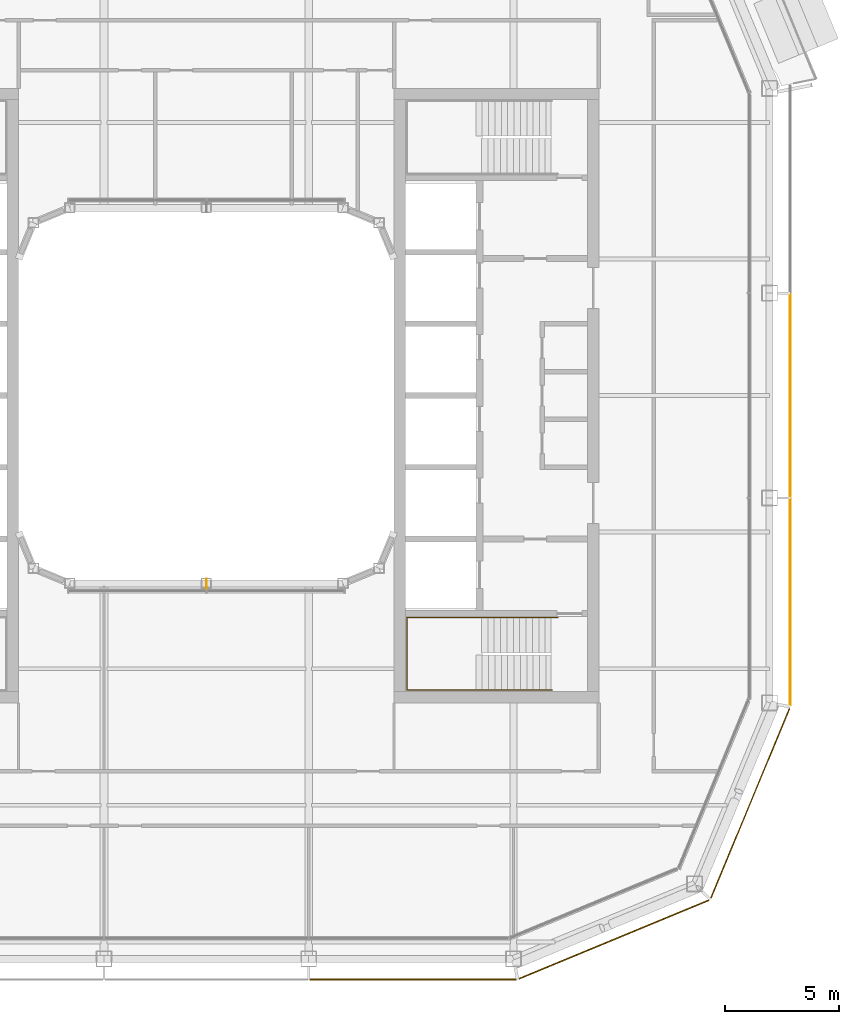
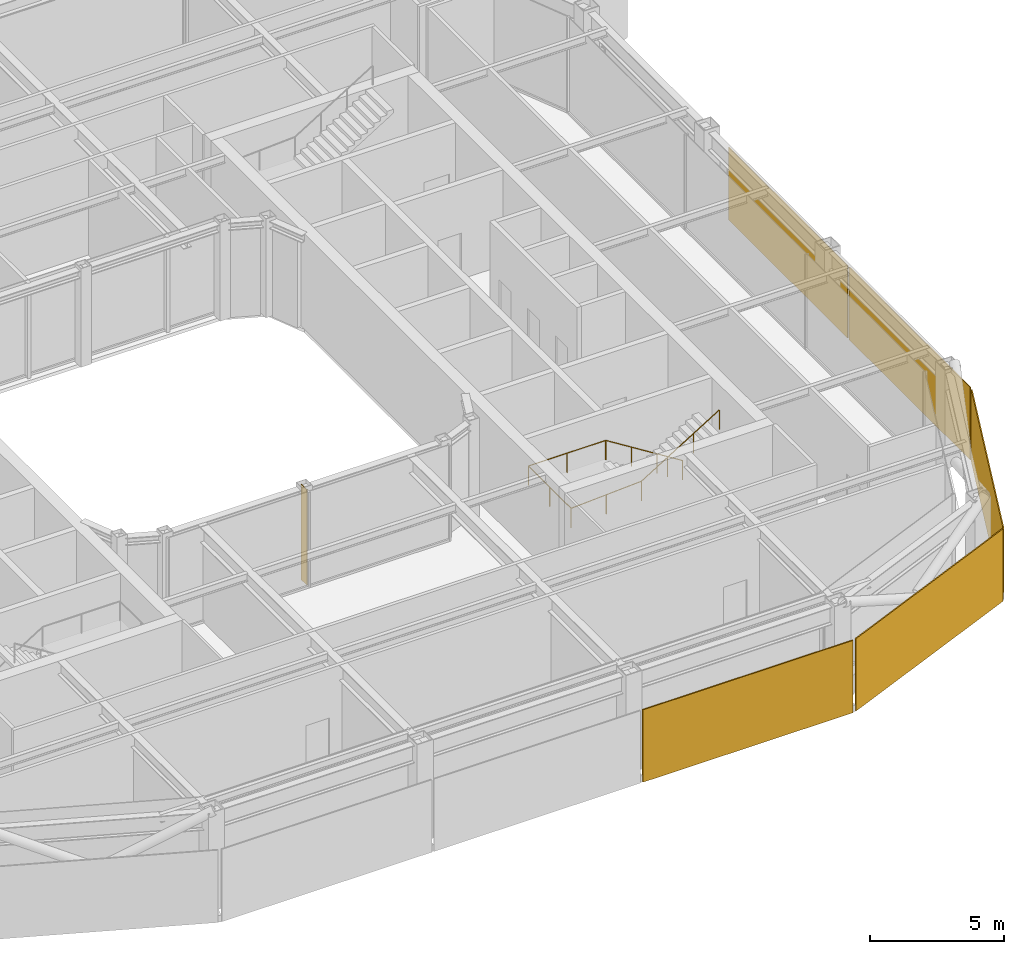
# One storey, part 18 of 21: 5 coverings, 1 railing, 1 shading device.
"""IFC4 building model written with IfcOpenShell, lengths in metres."""

from ifc_helpers import new_model, si_unit, direction, frame, origin, origin_2d, place, context, subcontext, project, spatial, rectangle, circle, extrude, material, layer, layer_set, type_object, element, save


model = new_model("IFC4")

# Units and contexts
model_context = context("Model", 3, precision=1e-05, world=origin(), true_north=direction((0.0, 1.0)))
body_context = subcontext(model_context, "Body", "Model", "MODEL_VIEW")
ifc_project = project(units=[si_unit("LENGTHUNIT", "METRE"), si_unit("AREAUNIT", "SQUARE_METRE"), si_unit("VOLUMEUNIT", "CUBIC_METRE"), si_unit("PLANEANGLEUNIT", "RADIAN"), si_unit("MASSUNIT", "GRAM", prefix="KILO")], contexts=[model_context])

# Site, building, storey
site_placement = place(None, origin())
site = spatial("IfcSite", under=ifc_project, at=site_placement, CompositionType="ELEMENT")
building_placement = place(site_placement, origin())
building = spatial("IfcBuilding", under=site, at=building_placement, Name="Siwar Civic Tower", CompositionType="ELEMENT")
storey_placement = place(building_placement, frame((0.0, 0.0, 325.699951171875)))
storey = spatial("IfcBuildingStorey", under=building, at=storey_placement, Name="L70", CompositionType="ELEMENT", Elevation=325.699951171875)

# Railing
ifc_material_1 = material(Name="Stainless steel", Category="steel")
railing_type = type_object("IfcRailingType", Name="CORE-STAIR-HANDRAIL", PredefinedType="HANDRAIL", material=ifc_material_1)
railing_placement = place(storey_placement, frame((15.449951171875, -9.758056640625, 0.173095703125)))
element("IfcRailing", 1, at=railing_placement, inside=storey, type_object=railing_type, Name="Stair handrail ST4", PredefinedType="HANDRAIL", context=body_context, shape_type="SweptSolid", body=[
    extrude(circle(Radius=0.02001953125, at=origin_2d()), frame((0.0, 0.0, 0.8798828125), z_axis=(-0.847063342986, 0.0, 0.531491950051), x_axis=(0.0, -1.0, 0.0)), (0.0, 0.0, 1.0), 3.90771484375),
    extrude(circle(Radius=0.02001953125, at=origin_2d()), frame((-3.31005859375, 0.0, 2.956787109375), z_axis=(-1.0, 0.0, 0.0), x_axis=(0.0, -1.0, 0.0)), (0.0, 0.0, 1.0), 3.331787109375),
    extrude(circle(Radius=0.02001953125, at=origin_2d()), frame((-6.641845703125, 0.0, 2.956787109375), z_axis=(0.0, -1.0, 0.0), x_axis=(1.0, 0.0, 0.0)), (0.0, 0.0, 1.0), 3.183837890625),
    extrude(circle(Radius=0.02001953125, at=origin_2d()), frame((-6.641845703125, -3.183837890625, 2.956787109375), z_axis=(0.99837434197, 0.0, 0.056997134106), x_axis=(0.0, 1.0, 0.0)), (0.0, 0.0, 1.0), 3.036865234375),
    extrude(circle(Radius=0.02001953125, at=origin_2d()), frame((-3.60986328125, -3.183837890625, 3.1298828125), z_axis=(0.850606129759, 0.0, 0.525803396734), x_axis=(0.0, 1.0, 0.0)), (0.0, 0.0, 1.0), 3.949951171875),
    extrude(circle(Radius=0.02001953125, at=origin_2d()), origin(), (0.0, 0.0, 1.0), 0.85986328125),
    extrude(circle(Radius=0.02001953125, at=origin_2d()), frame((-1.103271484375, 0.0, 0.6923828125)), (0.0, 0.0, 1.0), 0.85986328125),
    extrude(circle(Radius=0.02001953125, at=origin_2d()), frame((-2.206787109375, 0.0, 1.384521484375)), (0.0, 0.0, 1.0), 0.85986328125),
    extrude(circle(Radius=0.02001953125, at=origin_2d()), frame((-3.31005859375, 0.0, 2.076904296875)), (0.0, 0.0, 1.0), 0.85986328125),
    extrude(circle(Radius=0.02001953125, at=origin_2d()), frame((-4.97607421875, 0.0, 2.076904296875)), (0.0, 0.0, 1.0), 0.85986328125),
    extrude(circle(Radius=0.02001953125, at=origin_2d()), frame((-6.641845703125, 0.0, 2.076904296875)), (0.0, 0.0, 1.0), 0.85986328125),
    extrude(circle(Radius=0.02001953125, at=origin_2d()), frame((-6.641845703125, -1.591796875, 2.076904296875)), (0.0, 0.0, 1.0), 0.85986328125),
    extrude(circle(Radius=0.02001953125, at=origin_2d()), frame((-6.641845703125, -3.183837890625, 2.076904296875)), (0.0, 0.0, 1.0), 0.85986328125),
    extrude(circle(Radius=0.02001953125, at=origin_2d()), frame((-5.1259765625, -3.183837890625, 2.16357421875)), (0.0, 0.0, 1.0), 0.85986328125),
    extrude(circle(Radius=0.02001953125, at=origin_2d()), frame((-3.60986328125, -3.183837890625, 2.25)), (0.0, 0.0, 1.0), 0.85986328125),
    extrude(circle(Radius=0.02001953125, at=origin_2d()), frame((-2.489990234375, -3.183837890625, 2.9423828125)), (0.0, 0.0, 1.0), 0.85986328125),
    extrude(circle(Radius=0.02001953125, at=origin_2d()), frame((-1.369873046875, -3.183837890625, 3.634521484375)), (0.0, 0.0, 1.0), 0.85986328125),
    extrude(circle(Radius=0.02001953125, at=origin_2d()), frame((-0.25, -3.183837890625, 4.326904296875)), (0.0, 0.0, 1.0), 0.85986328125),
])

# Shading device
ifc_material_2 = material(Name="Aluminium 6063-T6", Category="aluminium")
ifc_layer_1 = layer(ifc_material_2, 0.02001953125)
ifc_layer_set_1 = layer_set([ifc_layer_1], Name="Aluminium 6063-T6")
shading_device_type = type_object("IfcShadingDeviceType", Name="ENV-FIN", PredefinedType="JALOUSIE", material=ifc_layer_set_1)
shading_device_placement = place(storey_placement, frame((0.0, -8.27001953125, 0.0), z_axis=(0.0, 0.0, 1.0), x_axis=(1.0, 0.0, 0.0)))
element("IfcShadingDevice", 2, at=shading_device_placement, inside=storey, type_object=shading_device_type, Name="SUNSHADE fin WS 1", PredefinedType="JALOUSIE", context=body_context, shape_type="SweptSolid", body=[
    extrude(rectangle(XDim=0.02001953125, YDim=0.449951171875, at=origin_2d()), origin(), (0.0, 0.0, 1.0), 4.35009765625),
])

# Coverings
ifc_material_3 = material(Name="Perforated aluminium cassette, pale metal", Category="aluminium")
ifc_layer_2 = layer(ifc_material_3, 0.0400390625)
ifc_layer_set_2 = layer_set([ifc_layer_2], Name="Perforated aluminium cassette, pale metal")
covering_type_1 = type_object("IfcCoveringType", Name="ENV-OUTER SKIN OS-1", PredefinedType="CLADDING", material=ifc_layer_set_2)
covering_1_placement = place(storey_placement, frame((25.64990234375, -9.07958984375, -0.14990234375), z_axis=(0.0, 0.0, 1.0), x_axis=(0.0, 1.0, 0.0)))
element("IfcCovering", 3, at=covering_1_placement, inside=storey, type_object=covering_type_1, Name="OUTER SKIN OS-1 E 1", PredefinedType="CLADDING", context=body_context, shape_type="SweptSolid", body=[
    extrude(rectangle(XDim=9.05908203125, YDim=0.0400390625, at=origin_2d()), origin(), (0.0, 0.0, 1.0), 3.300048828125),
])
covering_2_placement = place(storey_placement, frame((25.64990234375, 0.0, -0.14990234375), z_axis=(0.0, 0.0, 1.0), x_axis=(0.0, 1.0, 0.0)))
element("IfcCovering", 4, at=covering_2_placement, inside=storey, type_object=covering_type_1, Name="OUTER SKIN OS-1 E 2", PredefinedType="CLADDING", context=body_context, shape_type="SweptSolid", body=[
    extrude(rectangle(XDim=8.89990234375, YDim=0.0400390625, at=origin_2d()), origin(), (0.0, 0.0, 1.0), 3.300048828125),
])
ifc_material_4 = material(Name="Perforated aluminium cassette, pale metal", Category="aluminium")
ifc_layer_3 = layer(ifc_material_4, 0.044921875)
ifc_layer_set_3 = layer_set([ifc_layer_3], Name="Perforated aluminium cassette, pale metal")
covering_type_2 = type_object("IfcCoveringType", Name="ENV-OUTER SKIN OS-2", PredefinedType="CLADDING", material=ifc_layer_set_3)
covering_3_placement = place(storey_placement, frame((23.89697265625, -17.911376953125, -0.14990234375), z_axis=(0.0, 0.0, 1.0), x_axis=(0.382683432365, 0.923879532511, 0.0)))
element("IfcCovering", 5, at=covering_3_placement, inside=storey, type_object=covering_type_2, Name="OUTER SKIN OS-2 SE2 1", PredefinedType="CLADDING", context=body_context, shape_type="SweptSolid", body=[
    extrude(rectangle(XDim=9.022216796875, YDim=0.044921875, at=origin_2d()), origin(), (0.0, 0.0, 1.0), 3.300048828125),
])
ifc_material_5 = material(Name="Perforated aluminium cassette, pale metal", Category="aluminium")
ifc_layer_4 = layer(ifc_material_5, 0.050048828125)
ifc_layer_set_4 = layer_set([ifc_layer_4], Name="Perforated aluminium cassette, pale metal")
covering_type_3 = type_object("IfcCoveringType", Name="ENV-OUTER SKIN OS-3", PredefinedType="CLADDING", material=ifc_layer_set_4)
covering_4_placement = place(storey_placement, frame((17.911376953125, -23.89697265625, -0.14990234375), z_axis=(0.0, 0.0, 1.0), x_axis=(0.923879532511, 0.382683432365, 0.0)))
element("IfcCovering", 6, at=covering_4_placement, inside=storey, type_object=covering_type_3, Name="OUTER SKIN OS-3 SE1 1", PredefinedType="CLADDING", context=body_context, shape_type="SweptSolid", body=[
    extrude(rectangle(XDim=9.022216796875, YDim=0.050048828125, at=origin_2d()), origin(), (0.0, 0.0, 1.0), 3.300048828125),
])
ifc_material_6 = material(Name="Perforated aluminium cassette, pale metal", Category="aluminium")
ifc_layer_5 = layer(ifc_material_6, 0.054931640625)
ifc_layer_set_5 = layer_set([ifc_layer_5], Name="Perforated aluminium cassette, pale metal")
covering_type_4 = type_object("IfcCoveringType", Name="ENV-OUTER SKIN OS-4", PredefinedType="CLADDING", material=ifc_layer_set_5)
covering_5_placement = place(storey_placement, frame((9.07958984375, -25.64990234375, -0.14990234375), z_axis=(0.0, 0.0, 1.0), x_axis=(1.0, 0.0, 0.0)))
element("IfcCovering", 7, at=covering_5_placement, inside=storey, type_object=covering_type_4, Name="OUTER SKIN OS-4 S 3", PredefinedType="CLADDING", context=body_context, shape_type="SweptSolid", body=[
    extrude(rectangle(XDim=9.05908203125, YDim=0.054931640625, at=origin_2d()), origin(), (0.0, 0.0, 1.0), 3.300048828125),
])

save(model, "model.ifc")
